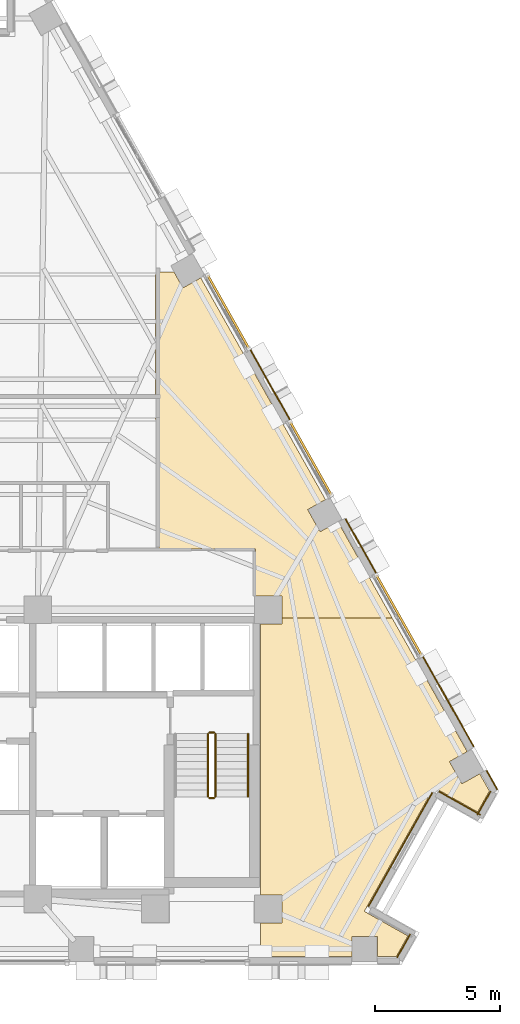
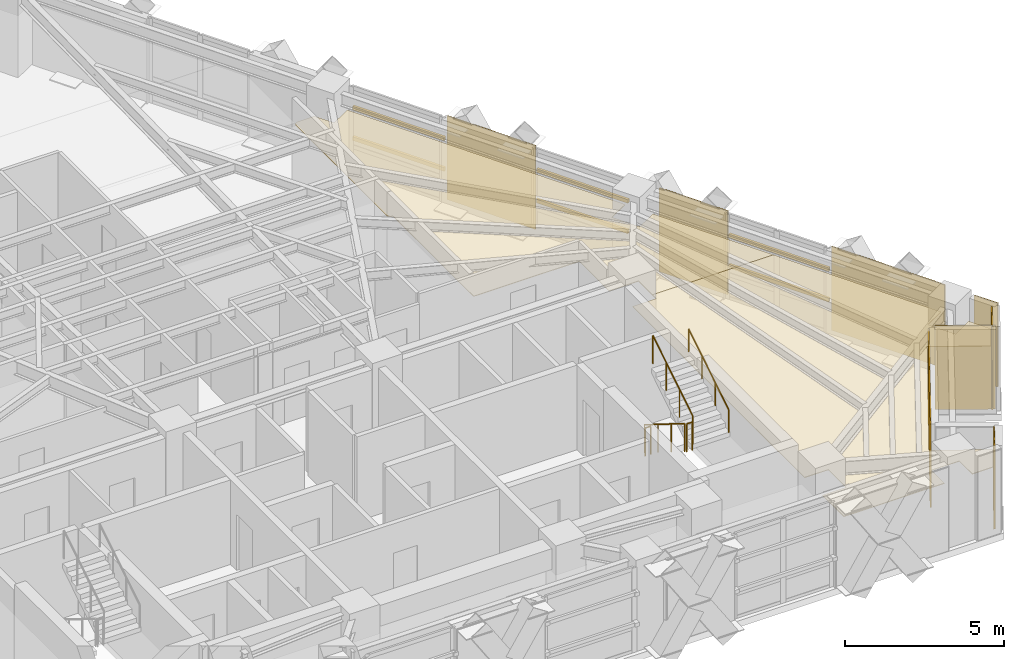
# One storey, part 13 of 14: 10 coverings, 6 shading devices, 5 railings.
"""IFC4 building model written with IfcOpenShell, lengths in metres."""

from ifc_helpers import new_model, si_unit, direction, frame, origin, origin_2d, place, context, subcontext, project, spatial, polyline, rectangle, circle, outline, extrude, material, layer, layer_set, material_profile, profile_set, type_object, element, save


model = new_model("IFC4")

# Units and contexts
model_context = context("Model", 3, precision=1e-05, world=origin(), true_north=direction((0.0, 1.0)))
body_context = subcontext(model_context, "Body", "Model", "MODEL_VIEW")
ifc_project = project(units=[si_unit("LENGTHUNIT", "METRE"), si_unit("AREAUNIT", "SQUARE_METRE"), si_unit("VOLUMEUNIT", "CUBIC_METRE"), si_unit("PLANEANGLEUNIT", "RADIAN"), si_unit("MASSUNIT", "GRAM", prefix="KILO")], contexts=[model_context])

# Site, building, storey
site_placement = place(None, origin())
site = spatial("IfcSite", under=ifc_project, at=site_placement, CompositionType="ELEMENT")
building_placement = place(site_placement, origin())
building = spatial("IfcBuilding", under=site, at=building_placement, Name="Quenlor Broadcast Tower", CompositionType="ELEMENT")
storey_placement = place(building_placement, frame((0.0, 0.0, 144.0)))
storey = spatial("IfcBuildingStorey", under=building, at=storey_placement, Name="L39", CompositionType="ELEMENT", Elevation=144.0)

# Coverings
ifc_material_1 = material(Name="Acoustic Mineral Fibre Board", Category="other")
ifc_layer_1 = layer(ifc_material_1, 0.02490234375)
ifc_layer_set_1 = layer_set([ifc_layer_1], Name="Acoustic Perforated Mineral Tile Ceiling 25")
covering_type_1 = type_object("IfcCoveringType", Name="Acoustic Perforated Mineral Tile Ceiling 25", PredefinedType="CEILING", material=ifc_layer_set_1)
covering_1_placement = place(storey_placement, frame((0.0, 0.0, 2.375)))
element("IfcCovering", 1, at=covering_1_placement, inside=storey, type_object=covering_type_1, Name="L39 Acoustic Ceiling L39-34-2", PredefinedType="CEILING", context=body_context, shape_type="SweptSolid", body=[
    extrude(outline(polyline([(13.508056640625, -4.241943359375), (12.43994140625, -4.241943359375), (12.43994140625, -2.3701171875), (8.60009765625, -2.3701171875), (8.60009765625, 2.7099609375), (8.57080078125, 2.712890625), (8.54248046875, 2.721435546875), (8.5166015625, 2.7353515625), (8.493896484375, 2.75390625), (8.475341796875, 2.776611328125), (8.46142578125, 2.802490234375), (8.452880859375, 2.830810546875), (8.449951171875, 2.860107421875), (8.449951171875, 8.5400390625), (8.452880859375, 8.5693359375), (8.46142578125, 8.597412109375), (8.475341796875, 8.623291015625), (8.493896484375, 8.64599609375), (8.5166015625, 8.664794921875), (8.54248046875, 8.6787109375), (8.57080078125, 8.68701171875), (8.60009765625, 8.68994140625), (9.19580078125, 8.68994140625), (9.54931640625, 8.0615234375), (10.26220703125, 8.46240234375), (11.85791015625, 5.62548828125), (13.487060546875, 2.7294921875), (15.2451171875, -0.39599609375), (14.5322265625, -0.797119140625), (15.0302734375, -1.6826171875), (15.7431640625, -1.281494140625), (17.90234375, -5.1201171875), (13.508056640625, -5.1201171875), (13.508056640625, -4.241943359375)])), origin(), (0.0, 0.0, 1.0), 0.02490234375),
])
covering_2_placement = place(storey_placement, frame((0.0, 0.0, 2.375)))
element("IfcCovering", 2, at=covering_2_placement, inside=storey, type_object=covering_type_1, Name="L39 Acoustic Ceiling L39-34-6", PredefinedType="CEILING", context=body_context, shape_type="SweptSolid", body=[
    extrude(outline(polyline([(13.508056640625, -17.30810546875), (13.508056640625, -16.19189453125), (12.64990234375, -16.19189453125), (12.64990234375, -5.35791015625), (13.508056640625, -5.35791015625), (13.508056640625, -5.1201171875), (17.90234375, -5.1201171875), (20.90869140625, -10.46484375), (20.19580078125, -10.86572265625), (20.694091796875, -11.751220703125), (21.406982421875, -11.350341796875), (21.794921875, -12.0400390625), (21.323486328125, -12.878173828125), (19.580322265625, -11.8974609375), (16.795654296875, -16.847900390625), (18.538818359375, -17.82861328125), (18.071044921875, -18.659912109375), (17.31640625, -18.659912109375), (17.31640625, -17.842041015625), (16.30029296875, -17.842041015625), (16.30029296875, -18.659912109375), (12.64990234375, -18.659912109375), (12.64990234375, -17.30810546875), (13.508056640625, -17.30810546875)])), origin(), (0.0, 0.0, 1.0), 0.02490234375),
])

# Shading devices
ifc_material_2 = material(Name="Architectural Terracotta Ceramic", Category="masonry")
ifc_material_profile = material_profile(ifc_material_2, rectangle(XDim=0.090087890625, YDim=0.139892578125, at=origin_2d()))
ifc_profile_set = profile_set([ifc_material_profile], Name="Architectural Terracotta Ceramic BAG90x140")
shading_device_type = type_object("IfcShadingDeviceType", Name="Copper Terracotta Baguette Solar Screen 140", PredefinedType="USERDEFINED", material=ifc_profile_set)
for number, where, z_axis, x_axis, name in (
    (3, (17.282958984375, -3.421142578125, 1.169921875), (0.490258076222, -0.871577316535, 0.0), (0.871577316535, 0.490258076222, 0.0), "L39 Terracotta Baguette Screen 1"),
    (4, (17.282958984375, -3.421142578125, 2.340087890625), (0.490258076222, -0.871577316535, 0.0), (0.871577316535, 0.490258076222, 0.0), "L39 Terracotta Baguette Screen 2"),
):
    element("IfcShadingDevice", number, at=place(storey_placement, frame(where, z_axis=z_axis, x_axis=x_axis)), inside=storey, type_object=shading_device_type, Name=name, ObjectType="BAGUETTE", PredefinedType="USERDEFINED", context=body_context, shape_type="SweptSolid", body=[
        extrude(rectangle(XDim=0.090087890625, YDim=0.139892578125, at=origin_2d()), origin(), (0.0, 0.0, 1.0), 3.6640625),
    ])
for number, where, z_axis, x_axis, name in (
    (5, (10.54052734375, 8.565185546875, 1.169921875), (0.490257780007, -0.871577483155, 0.0), (0.871577483155, 0.490257780007, 0.0), "L39 Terracotta Baguette Screen 1"),
    (6, (10.54052734375, 8.565185546875, 2.340087890625), (0.490257780007, -0.871577483155, 0.0), (0.871577483155, 0.490257780007, 0.0), "L39 Terracotta Baguette Screen 2"),
    (7, (13.8349609375, 2.708740234375, 1.169921875), (0.490288918116, -0.871559967399, 0.0), (0.871559967399, 0.490288918116, 0.0), "L39 Terracotta Baguette Screen 1"),
    (8, (13.8349609375, 2.708740234375, 2.340087890625), (0.490288918116, -0.871559967399, 0.0), (0.871559967399, 0.490288918116, 0.0), "L39 Terracotta Baguette Screen 2"),
):
    element("IfcShadingDevice", number, at=place(storey_placement, frame(where, z_axis=z_axis, x_axis=x_axis)), inside=storey, type_object=shading_device_type, Name=name, ObjectType="BAGUETTE", PredefinedType="USERDEFINED", context=body_context, shape_type="SweptSolid", body=[
        extrude(rectangle(XDim=0.090087890625, YDim=0.139892578125, at=origin_2d()), origin(), (0.0, 0.0, 1.0), 3.350341796875),
    ])

# Coverings
ifc_material_3 = material(Name="Architectural Terracotta Ceramic", Category="masonry")
ifc_layer_2 = layer(ifc_material_3, 0.044921875)
ifc_layer_set_2 = layer_set([ifc_layer_2], Name="Fluted Terracotta Rainscreen Cladding Panel")
covering_type_2 = type_object("IfcCoveringType", Name="Fluted Terracotta Rainscreen Cladding Panel", PredefinedType="CLADDING", material=ifc_layer_set_2)
covering_3_placement = place(storey_placement, frame((0.0, 0.0, 0.02001953125)))
element("IfcCovering", 9, at=covering_3_placement, inside=storey, type_object=covering_type_2, Name="L39 Terracotta Rainscreen Cladding L39-SHD-NES1", PredefinedType="CLADDING", context=body_context, shape_type="SweptSolid", body=[
    extrude(outline(polyline([(21.66162109375, -11.23779296875), (22.0859375, -11.992431640625), (22.125244140625, -11.970458984375), (21.70068359375, -11.2158203125), (21.66162109375, -11.23779296875)])), origin(), (0.0, 0.0, 1.0), 3.2099609375),
])
covering_4_placement = place(storey_placement, frame((0.0, 0.0, 0.02001953125)))
element("IfcCovering", 10, at=covering_4_placement, inside=storey, type_object=covering_type_2, Name="L39 Terracotta Rainscreen Cladding L39-NEC-SP1", PredefinedType="CLADDING", context=body_context, shape_type="SweptSolid", body=[
    extrude(outline(polyline([(16.025146484375, -1.1767578125), (17.254638671875, -3.362548828125), (17.2939453125, -3.340576171875), (16.064453125, -1.15478515625), (16.025146484375, -1.1767578125)])), origin(), (0.0, 0.0, 1.0), 3.2099609375),
])
covering_5_placement = place(storey_placement, frame((0.0, 0.0, 0.02001953125)))
element("IfcCovering", 11, at=covering_5_placement, inside=storey, type_object=covering_type_2, Name="L39 Terracotta Rainscreen Cladding L39-NEC-SP2", PredefinedType="CLADDING", context=body_context, shape_type="SweptSolid", body=[
    extrude(outline(polyline([(19.11474609375, -6.66943359375), (21.14453125, -10.278076171875), (21.183837890625, -10.256103515625), (19.154052734375, -6.6474609375), (19.11474609375, -6.66943359375)])), origin(), (0.0, 0.0, 1.0), 3.2099609375),
])
covering_6_placement = place(storey_placement, frame((0.0, 0.0, 0.02001953125)))
element("IfcCovering", 12, at=covering_6_placement, inside=storey, type_object=covering_type_2, Name="L39 Terracotta Rainscreen Cladding L39-NE-SP1", PredefinedType="CLADDING", context=body_context, shape_type="SweptSolid", body=[
    extrude(outline(polyline([(12.218505859375, 5.59033203125), (13.806396484375, 2.767333984375), (13.845703125, 2.789306640625), (12.2578125, 5.6123046875), (12.218505859375, 5.59033203125)])), origin(), (0.0, 0.0, 1.0), 3.2099609375),
])
covering_7_placement = place(storey_placement, frame((0.0, 0.0, 0.02001953125)))
element("IfcCovering", 13, at=covering_7_placement, inside=storey, type_object=covering_type_2, Name="L39 Terracotta Rainscreen Cladding L39-CNR-02", PredefinedType="CLADDING", context=body_context, shape_type="SweptSolid", body=[
    extrude(outline(polyline([(16.9775390625, -16.663330078125), (19.53662109375, -12.11376953125), (19.49755859375, -12.091796875), (16.938232421875, -16.641357421875), (16.9775390625, -16.663330078125)])), origin(), (0.0, 0.0, 1.0), 3.2099609375),
])
covering_8_placement = place(storey_placement, frame((0.0, 0.0, 0.02001953125)))
element("IfcCovering", 14, at=covering_8_placement, inside=storey, type_object=covering_type_2, Name="L39 Terracotta Rainscreen Cladding L39-CNR-03", PredefinedType="CLADDING", context=body_context, shape_type="SweptSolid", body=[
    extrude(outline(polyline([(19.764892578125, -12.079345703125), (21.4208984375, -13.010986328125), (21.443115234375, -12.9716796875), (19.787109375, -12.0400390625), (19.764892578125, -12.079345703125)])), origin(), (0.0, 0.0, 1.0), 3.2099609375),
])
covering_9_placement = place(storey_placement, frame((0.0, 0.0, 0.02001953125)))
element("IfcCovering", 15, at=covering_9_placement, inside=storey, type_object=covering_type_2, Name="L39 Terracotta Rainscreen Cladding L39-CNR-04", PredefinedType="CLADDING", context=body_context, shape_type="SweptSolid", body=[
    extrude(outline(polyline([(21.328857421875, -13.007080078125), (21.859619140625, -12.0634765625), (21.820556640625, -12.04150390625), (21.289794921875, -12.985107421875), (21.328857421875, -13.007080078125)])), origin(), (0.0, 0.0, 1.0), 3.2099609375),
])
covering_10_placement = place(storey_placement, frame((0.0, 0.0, 0.02001953125)))
element("IfcCovering", 16, at=covering_10_placement, inside=storey, type_object=covering_type_2, Name="L39 Terracotta Rainscreen Cladding L39-CNR-18", PredefinedType="CLADDING", context=body_context, shape_type="SweptSolid", body=[
    extrude(outline(polyline([(18.122802734375, -18.70654296875), (18.652099609375, -17.76611328125), (18.61279296875, -17.743896484375), (18.083740234375, -18.6845703125), (18.122802734375, -18.70654296875)])), origin(), (0.0, 0.0, 1.0), 3.2099609375),
])

# Railings
ifc_material_4 = material(Name="Anodised Aluminium", Category="aluminium")
railing_type_1 = type_object("IfcRailingType", Name="Stainless Aluminium Wall Handrail 900", PredefinedType="HANDRAIL", material=ifc_material_4)
railing_1_placement = place(storey_placement, frame((12.14990234375, -12.27001953125, 1.925048828125)))
element("IfcRailing", 17, at=railing_1_placement, inside=storey, type_object=railing_type_1, Name="L39 ST-2 stair handrail 2", PredefinedType="HANDRAIL", context=body_context, shape_type="SweptSolid", body=[
    extrude(circle(Radius=0.02392578125, at=origin_2d()), frame((0.0, 0.0, 0.8759765625), z_axis=(0.0, 0.848007534815, 0.529984170421), x_axis=(-1.0, 0.0, 0.0)), (0.0, 0.0, 1.0), 2.9716796875),
    extrude(circle(Radius=0.02099609375, at=origin_2d()), origin(), (0.0, 0.0, 1.0), 0.851806640625),
    extrude(circle(Radius=0.02099609375, at=origin_2d()), frame((0.0, 0.840087890625, 0.52490234375)), (0.0, 0.0, 1.0), 0.851806640625),
    extrude(circle(Radius=0.02099609375, at=origin_2d()), frame((0.0, 1.679931640625, 1.050048828125)), (0.0, 0.0, 1.0), 0.851806640625),
    extrude(circle(Radius=0.02099609375, at=origin_2d()), frame((0.0, 2.52001953125, 1.574951171875)), (0.0, 0.0, 1.0), 0.851806640625),
])
ifc_material_5 = material(Name="Steel S355", Category="steel")
railing_type_2 = type_object("IfcRailingType", Name="Tubular Steel S355 Stair Guardrail 1100", PredefinedType="BALUSTRADE", material=ifc_material_5)
railing_2_placement = place(storey_placement, frame((10.550048828125, -9.75, 0.175048828125)))
element("IfcRailing", 18, at=railing_2_placement, inside=storey, type_object=railing_type_2, Name="L39 ST-2 stair guard 1", PredefinedType="BALUSTRADE", context=body_context, shape_type="SweptSolid", body=[
    extrude(circle(Radius=0.02392578125, at=origin_2d()), frame((0.0, 0.0, 1.076171875), z_axis=(0.0, -0.848007534815, 0.529984170421), x_axis=(1.0, 0.0, 0.0)), (0.0, 0.0, 1.0), 2.9716796875),
    extrude(circle(Radius=0.02099609375, at=origin_2d()), origin(), (0.0, 0.0, 1.0), 1.052001953125),
    extrude(circle(Radius=0.02099609375, at=origin_2d()), frame((0.0, -0.840087890625, 0.52490234375)), (0.0, 0.0, 1.0), 1.052001953125),
    extrude(circle(Radius=0.02099609375, at=origin_2d()), frame((0.0, -1.679931640625, 1.050048828125)), (0.0, 0.0, 1.0), 1.052001953125),
    extrude(circle(Radius=0.02099609375, at=origin_2d()), frame((0.0, -2.52001953125, 1.574951171875)), (0.0, 0.0, 1.0), 1.052001953125),
])
railing_3_placement = place(storey_placement, frame((10.60009765625, -12.320068359375, 1.75)))
element("IfcRailing", 19, at=railing_3_placement, inside=storey, type_object=railing_type_2, Name="L39 ST-2 stair guard 2", PredefinedType="BALUSTRADE", context=body_context, shape_type="SweptSolid", body=[
    extrude(circle(Radius=0.02392578125, at=origin_2d()), frame((0.0, 0.0, 1.076171875), z_axis=(1.0, 0.0, 0.0), x_axis=(0.0, 1.0, 0.0)), (0.0, 0.0, 1.0), 0.199951171875),
    extrude(circle(Radius=0.02099609375, at=origin_2d()), origin(), (0.0, 0.0, 1.0), 1.052001953125),
    extrude(circle(Radius=0.02099609375, at=origin_2d()), frame((0.199951171875, 0.0, 0.0)), (0.0, 0.0, 1.0), 1.052001953125),
])
railing_4_placement = place(storey_placement, frame((10.85009765625, -12.27001953125, 1.925048828125)))
element("IfcRailing", 20, at=railing_4_placement, inside=storey, type_object=railing_type_2, Name="L39 ST-2 stair guard 3", PredefinedType="BALUSTRADE", context=body_context, shape_type="SweptSolid", body=[
    extrude(circle(Radius=0.02392578125, at=origin_2d()), frame((0.0, 0.0, 1.076171875), z_axis=(0.0, 0.848007534815, 0.529984170421), x_axis=(-1.0, 0.0, 0.0)), (0.0, 0.0, 1.0), 2.9716796875),
    extrude(circle(Radius=0.02099609375, at=origin_2d()), origin(), (0.0, 0.0, 1.0), 1.052001953125),
    extrude(circle(Radius=0.02099609375, at=origin_2d()), frame((0.0, 0.840087890625, 0.52490234375)), (0.0, 0.0, 1.0), 1.052001953125),
    extrude(circle(Radius=0.02099609375, at=origin_2d()), frame((0.0, 1.679931640625, 1.050048828125)), (0.0, 0.0, 1.0), 1.052001953125),
    extrude(circle(Radius=0.02099609375, at=origin_2d()), frame((0.0, 2.52001953125, 1.574951171875)), (0.0, 0.0, 1.0), 1.052001953125),
])
railing_5_placement = place(storey_placement, frame((10.60009765625, -9.699951171875, 0.0)))
element("IfcRailing", 21, at=railing_5_placement, inside=storey, type_object=railing_type_2, Name="L39 ST-2 stair guard 4", PredefinedType="BALUSTRADE", context=body_context, shape_type="SweptSolid", body=[
    extrude(circle(Radius=0.02392578125, at=origin_2d()), frame((0.0, 0.0, 1.076171875), z_axis=(1.0, 0.0, 0.0), x_axis=(0.0, 1.0, 0.0)), (0.0, 0.0, 1.0), 0.199951171875),
    extrude(circle(Radius=0.02099609375, at=origin_2d()), origin(), (0.0, 0.0, 1.0), 1.052001953125),
    extrude(circle(Radius=0.02099609375, at=origin_2d()), frame((0.199951171875, 0.0, 0.0)), (0.0, 0.0, 1.0), 1.052001953125),
])

save(model, "model.ifc")
